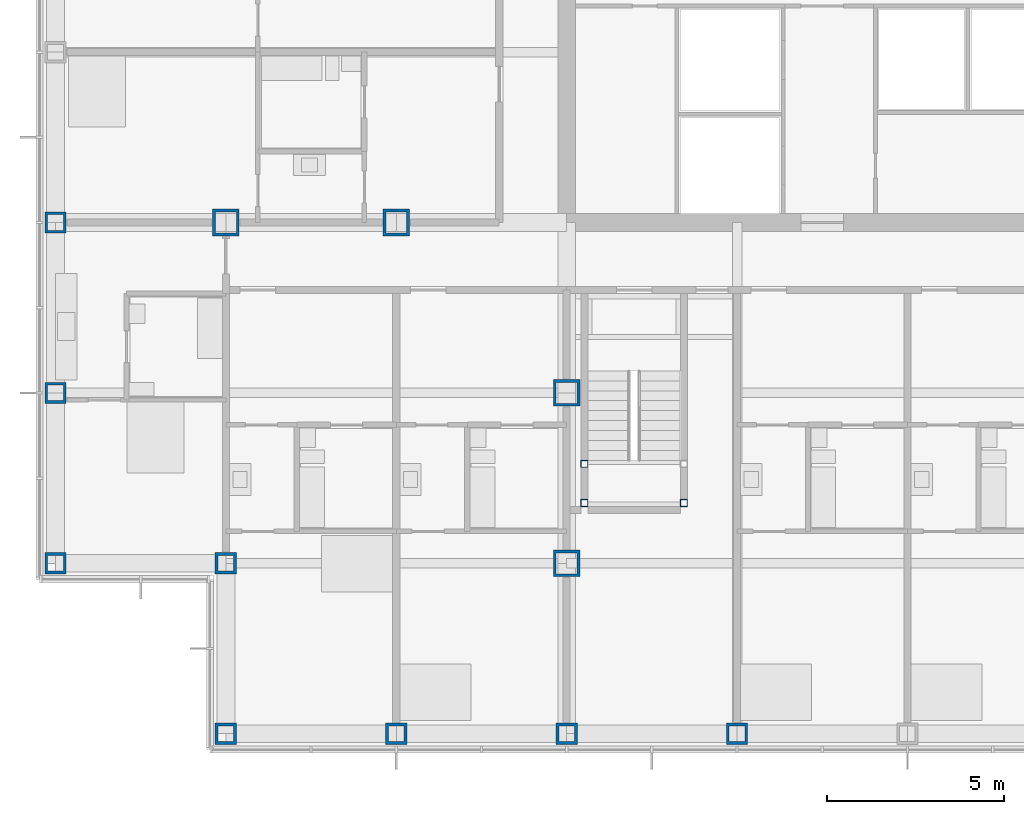
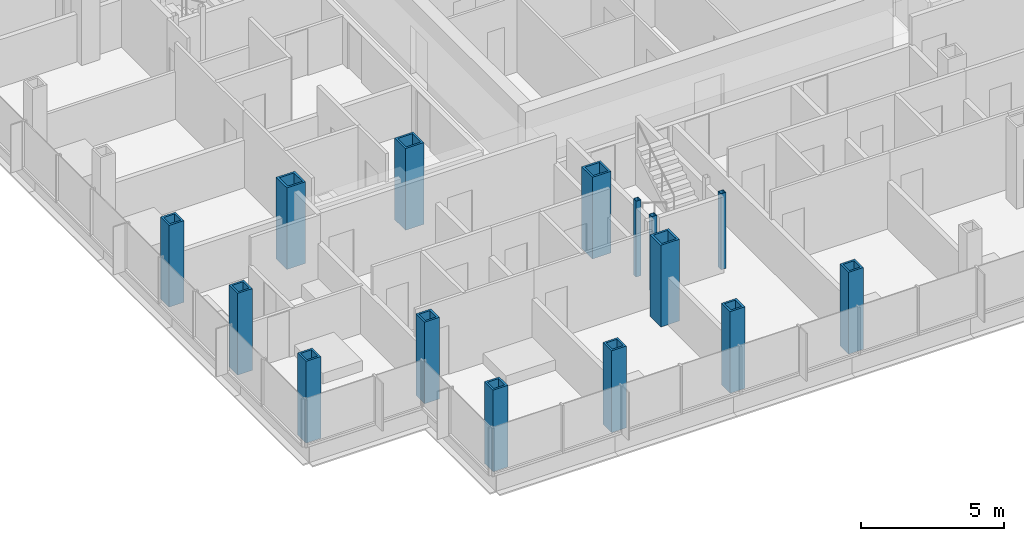
# One storey, part 1 of 22: 15 columns.
"""IFC4 building model written with IfcOpenShell, lengths in metres."""

from ifc_helpers import new_model, si_unit, direction, frame, origin, origin_2d, place, context, subcontext, project, spatial, hollow_rectangle, extrude, material, material_profile, profile_set, type_object, element, save


model = new_model("IFC4")

# Units and contexts
model_context = context("Model", 3, precision=1e-05, world=origin(), true_north=direction((0.0, 1.0)))
body_context = subcontext(model_context, "Body", "Model", "MODEL_VIEW")
ifc_project = project(units=[si_unit("LENGTHUNIT", "METRE"), si_unit("AREAUNIT", "SQUARE_METRE"), si_unit("VOLUMEUNIT", "CUBIC_METRE"), si_unit("PLANEANGLEUNIT", "RADIAN"), si_unit("MASSUNIT", "GRAM", prefix="KILO")], contexts=[model_context])

# Site, building, storey
site_placement = place(None, origin())
site = spatial("IfcSite", under=ifc_project, at=site_placement, CompositionType="ELEMENT")
building_placement = place(site_placement, origin())
building = spatial("IfcBuilding", under=site, at=building_placement, Name="Kvirike Care Tower", CompositionType="ELEMENT")
storey_placement = place(building_placement, frame((0.0, 0.0, 76.0)))
storey = spatial("IfcBuildingStorey", under=building, at=storey_placement, Name="L20", CompositionType="ELEMENT", Elevation=76.0)

# Columns
ifc_material_1 = material(Name="Steel S460", Category="steel")
ifc_material_profile_1 = material_profile(ifc_material_1, hollow_rectangle(XDim=0.60009765625, YDim=0.60009765625, WallThickness=0.080078125, at=origin_2d()), Name="BX 600x600x80")
ifc_profile_set_1 = profile_set([ifc_material_profile_1], Name="Steel S460")
column_type_1 = type_object("IfcColumnType", Name="COLUMN BX 600x600x80", PredefinedType="COLUMN", material=ifc_profile_set_1)
for number, where, z_axis, x_axis, name in (
    (1, (0.0, 19.199951171875, 0.0), (0.0, 0.0, 1.0), (0.0, 1.0, 0.0), "Column E3 L20"),
    (2, (0.0, 24.0, 0.0), (0.0, 0.0, 1.0), (1.0, 0.0, 0.0), "Column F3 L20"),
    (3, (0.0, 28.800048828125, 0.0), (0.0, 0.0, 1.0), (0.0, 1.0, 0.0), "Column G3 L20"),
    (4, (4.800048828125, 14.39990234375, 0.0), (0.0, 0.0, 1.0), (0.0, 1.0, 0.0), "Column D4 L20"),
    (5, (4.800048828125, 19.199951171875, 0.0), (0.0, 0.0, 1.0), (0.0, 1.0, 0.0), "Column E4 L20"),
    (6, (9.60009765625, 14.39990234375, 0.0), (0.0, 0.0, 1.0), (0.0, 1.0, 0.0), "Column D5 L20"),
    (7, (14.39990234375, 14.39990234375, 0.0), (0.0, 0.0, 1.0), (0.0, 1.0, 0.0), "Column D6 L20"),
    (8, (19.199951171875, 14.39990234375, 0.0), (0.0, 0.0, 1.0), (0.0, 1.0, 0.0), "Column D7 L20"),
):
    element("IfcColumn", number, at=place(storey_placement, frame(where, z_axis=z_axis, x_axis=x_axis)), inside=storey, type_object=column_type_1, Name=name, PredefinedType="COLUMN", context=body_context, shape_type="SweptSolid", body=[
        extrude(hollow_rectangle(XDim=0.60009765625, YDim=0.60009765625, WallThickness=0.080078125, at=origin_2d()), origin(), (0.0, 0.0, 1.0), 3.5),
    ])
ifc_material_2 = material(Name="Steel S460", Category="steel")
ifc_material_profile_2 = material_profile(ifc_material_2, hollow_rectangle(XDim=0.75, YDim=0.75, WallThickness=0.080078125, at=origin_2d()), Name="BX 750x750x80")
ifc_profile_set_2 = profile_set([ifc_material_profile_2], Name="Steel S460")
column_type_2 = type_object("IfcColumnType", Name="COLUMN BX 750x750x80", PredefinedType="COLUMN", material=ifc_profile_set_2)
for number, where, z_axis, x_axis, name in (
    (9, (4.800048828125, 28.800048828125, 0.0), (0.0, 0.0, 1.0), (0.0, 1.0, 0.0), "Column G4 L20"),
    (10, (9.60009765625, 28.800048828125, 0.0), (0.0, 0.0, 1.0), (0.0, 1.0, 0.0), "Column G5 L20"),
    (11, (14.39990234375, 19.199951171875, 0.0), (0.0, 0.0, 1.0), (1.0, 0.0, 0.0), "Column E6 L20"),
    (12, (14.39990234375, 24.0, 0.0), (0.0, 0.0, 1.0), (1.0, 0.0, 0.0), "Column F6 L20"),
):
    element("IfcColumn", number, at=place(storey_placement, frame(where, z_axis=z_axis, x_axis=x_axis)), inside=storey, type_object=column_type_2, Name=name, PredefinedType="COLUMN", context=body_context, shape_type="SweptSolid", body=[
        extrude(hollow_rectangle(XDim=0.75, YDim=0.75, WallThickness=0.080078125, at=origin_2d()), origin(), (0.0, 0.0, 1.0), 3.5),
    ])
ifc_material_3 = material(Name="Steel S460", Category="steel")
ifc_material_profile_3 = material_profile(ifc_material_3, hollow_rectangle(XDim=0.199951171875, YDim=0.199951171875, WallThickness=0.008056640625, at=origin_2d()), Name="SHS 200x200x8")
ifc_profile_set_3 = profile_set([ifc_material_profile_3], Name="Steel S460")
column_type_3 = type_object("IfcColumnType", Name="STAIR POST SHS 200x200x8", PredefinedType="COLUMN", material=ifc_profile_set_3)
for number, where, z_axis, x_axis, name in (
    (13, (14.89990234375, 20.89990234375, 0.0), (0.0, 0.0, 1.0), (1.0, 0.0, 0.0), "Stair 5 post 1 L20"),
    (14, (17.699951171875, 20.89990234375, 0.0), (0.0, 0.0, 1.0), (1.0, 0.0, 0.0), "Stair 5 post 2 L20"),
    (15, (14.89990234375, 22.0, 0.0), (0.0, 0.0, 1.0), (1.0, 0.0, 0.0), "Stair 5 post 3 L20"),
):
    element("IfcColumn", number, at=place(storey_placement, frame(where, z_axis=z_axis, x_axis=x_axis)), inside=storey, type_object=column_type_3, Name=name, PredefinedType="COLUMN", context=body_context, shape_type="SweptSolid", body=[
        extrude(hollow_rectangle(XDim=0.199951171875, YDim=0.199951171875, WallThickness=0.008056640625, at=origin_2d()), origin(), (0.0, 0.0, 1.0), 3.25),
    ])

save(model, "model.ifc")
